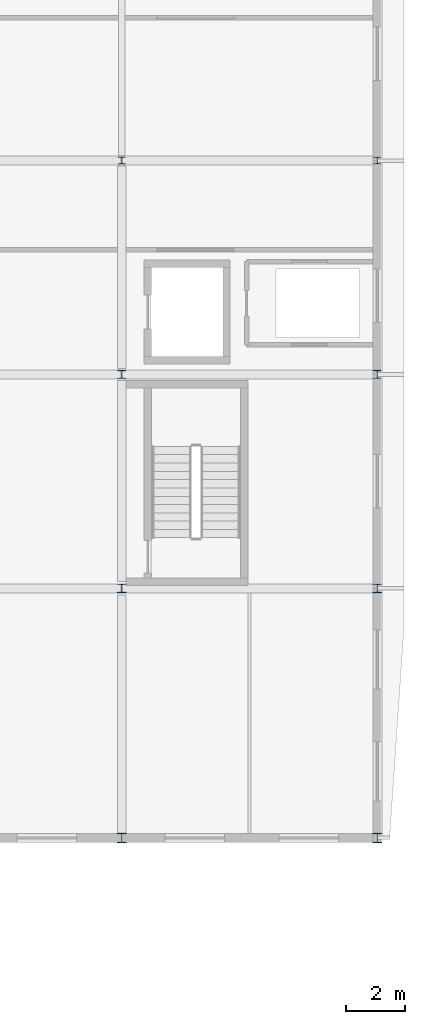
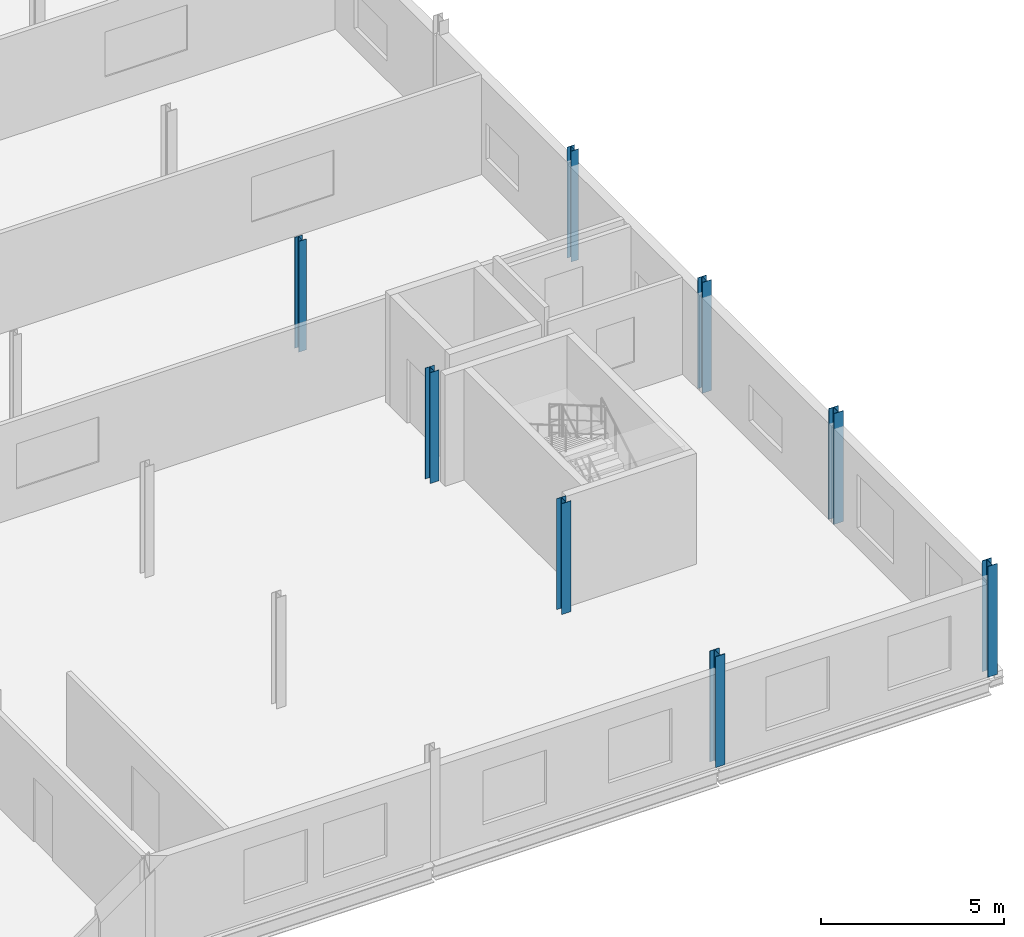
# One storey, part 6 of 30: 8 columns.
"""IFC4 building model written with IfcOpenShell, lengths in metres."""

from ifc_helpers import new_model, si_unit, direction, frame, origin, origin_2d, place, context, subcontext, project, spatial, i_section, extrude, material, material_profile, profile_set, type_object, element, save


model = new_model("IFC4")

# Units and contexts
model_context = context("Model", 3, precision=1e-05, world=origin(), true_north=direction((0.0, 1.0)))
body_context = subcontext(model_context, "Body", "Model", "MODEL_VIEW")
ifc_project = project(units=[si_unit("LENGTHUNIT", "METRE"), si_unit("AREAUNIT", "SQUARE_METRE"), si_unit("VOLUMEUNIT", "CUBIC_METRE"), si_unit("PLANEANGLEUNIT", "RADIAN"), si_unit("MASSUNIT", "GRAM", prefix="KILO")], contexts=[model_context])

# Site, building, storey
site_placement = place(None, origin())
site = spatial("IfcSite", under=ifc_project, at=site_placement, CompositionType="ELEMENT")
building_placement = place(site_placement, origin())
building = spatial("IfcBuilding", under=site, at=building_placement, Name="Vinh Khe Railworks Police Headquarters", CompositionType="ELEMENT")
storey_placement = place(building_placement, frame((0.0, 0.0, 21.0)))
storey = spatial("IfcBuildingStorey", under=building, at=storey_placement, Name="L05", CompositionType="ELEMENT", Elevation=21.0)

# Columns
ifc_material = material(Name="Steel S355JR", Category="steel")
ifc_material_profile_1 = material_profile(ifc_material, i_section(OverallWidth=0.239990234375, OverallDepth=0.22998046875, WebThickness=0.007568359375, FlangeThickness=0.011962890625, FilletRadius=0.02099609375, at=origin_2d()), Name="HEA 240")
ifc_profile_set_1 = profile_set([ifc_material_profile_1], Name="Steel S355JR")
column_type_1 = type_object("IfcColumnType", Name="Steel Column HEA 240", PredefinedType="COLUMN", material=ifc_profile_set_1)
for number, where, z_axis, x_axis, name in (
    (1, (105.0, 145.199951171875, 0.0), (0.0, 0.0, 1.0), (1.0, 0.0, 0.0), "Column COL-L05-SC-20-1373"),
    (2, (113.60009765625, 145.199951171875, 0.0), (0.0, 0.0, 1.0), (1.0, 0.0, 0.0), "Column COL-L05-SC-20-1434"),
):
    element("IfcColumn", number, at=place(storey_placement, frame(where, z_axis=z_axis, x_axis=x_axis)), inside=storey, type_object=column_type_1, Name=name, PredefinedType="COLUMN", context=body_context, shape_type="SweptSolid", body=[
        extrude(i_section(OverallWidth=0.239990234375, OverallDepth=0.22998046875, WebThickness=0.007568359375, FlangeThickness=0.011962890625, FilletRadius=0.02099609375, at=origin_2d()), origin(), (0.0, 0.0, 1.0), 3.699951171875),
    ])
ifc_material_profile_2 = material_profile(ifc_material, i_section(OverallWidth=0.280029296875, OverallDepth=0.27001953125, WebThickness=0.008056640625, FlangeThickness=0.012939453125, FilletRadius=0.02392578125, at=origin_2d()), Name="HEA 280")
ifc_profile_set_2 = profile_set([ifc_material_profile_2], Name="Steel S355JR")
column_type_2 = type_object("IfcColumnType", Name="Steel Column HEA 280", PredefinedType="COLUMN", material=ifc_profile_set_2)
for number, where, z_axis, x_axis, name in (
    (3, (105.0, 138.0, 0.0), (0.0, 0.0, 1.0), (1.0, 0.0, 0.0), "Column COL-L05-SC-19-1366"),
    (4, (113.60009765625, 138.0, 0.0), (0.0, 0.0, 1.0), (1.0, 0.0, 0.0), "Column COL-L05-SC-19-1427"),
):
    element("IfcColumn", number, at=place(storey_placement, frame(where, z_axis=z_axis, x_axis=x_axis)), inside=storey, type_object=column_type_2, Name=name, PredefinedType="COLUMN", context=body_context, shape_type="SweptSolid", body=[
        extrude(i_section(OverallWidth=0.280029296875, OverallDepth=0.27001953125, WebThickness=0.008056640625, FlangeThickness=0.012939453125, FilletRadius=0.02392578125, at=origin_2d()), origin(), (0.0, 0.0, 1.0), 3.699951171875),
    ])
ifc_material_profile_3 = material_profile(ifc_material, i_section(OverallWidth=0.300048828125, OverallDepth=0.2900390625, WebThickness=0.008544921875, FlangeThickness=0.013916015625, FilletRadius=0.027099609375, at=origin_2d()), Name="HEA 300")
ifc_profile_set_3 = profile_set([ifc_material_profile_3], Name="Steel S355JR")
column_type_3 = type_object("IfcColumnType", Name="Steel Column HEA 300", PredefinedType="COLUMN", material=ifc_profile_set_3)
for number, where, z_axis, x_axis, name in (
    (5, (105.0, 130.800048828125, 0.0), (0.0, 0.0, 1.0), (1.0, 0.0, 0.0), "Column COL-L05-SC-18-1359"),
    (6, (113.60009765625, 130.800048828125, 0.0), (0.0, 0.0, 1.0), (1.0, 0.0, 0.0), "Column COL-L05-SC-18-1420"),
):
    element("IfcColumn", number, at=place(storey_placement, frame(where, z_axis=z_axis, x_axis=x_axis)), inside=storey, type_object=column_type_3, Name=name, PredefinedType="COLUMN", context=body_context, shape_type="SweptSolid", body=[
        extrude(i_section(OverallWidth=0.300048828125, OverallDepth=0.2900390625, WebThickness=0.008544921875, FlangeThickness=0.013916015625, FilletRadius=0.027099609375, at=origin_2d()), origin(), (0.0, 0.0, 1.0), 3.699951171875),
    ])
ifc_material_profile_4 = material_profile(ifc_material, i_section(OverallWidth=0.300048828125, OverallDepth=0.330078125, WebThickness=0.009521484375, FlangeThickness=0.0166015625, FilletRadius=0.027099609375, at=origin_2d()), Name="HEA 340")
ifc_profile_set_4 = profile_set([ifc_material_profile_4], Name="Steel S355JR")
column_type_4 = type_object("IfcColumnType", Name="Steel Column HEA 340", PredefinedType="COLUMN", material=ifc_profile_set_4)
for number, where, z_axis, x_axis, name in (
    (7, (105.0, 122.39990234375, 0.0), (0.0, 0.0, 1.0), (1.0, 0.0, 0.0), "Column COL-L05-SC-17-1352"),
    (8, (113.60009765625, 122.39990234375, 0.0), (0.0, 0.0, 1.0), (1.0, 0.0, 0.0), "Column COL-L05-SC-17-1413"),
):
    element("IfcColumn", number, at=place(storey_placement, frame(where, z_axis=z_axis, x_axis=x_axis)), inside=storey, type_object=column_type_4, Name=name, PredefinedType="COLUMN", context=body_context, shape_type="SweptSolid", body=[
        extrude(i_section(OverallWidth=0.300048828125, OverallDepth=0.330078125, WebThickness=0.009521484375, FlangeThickness=0.0166015625, FilletRadius=0.027099609375, at=origin_2d()), origin(), (0.0, 0.0, 1.0), 3.699951171875),
    ])

save(model, "model.ifc")
